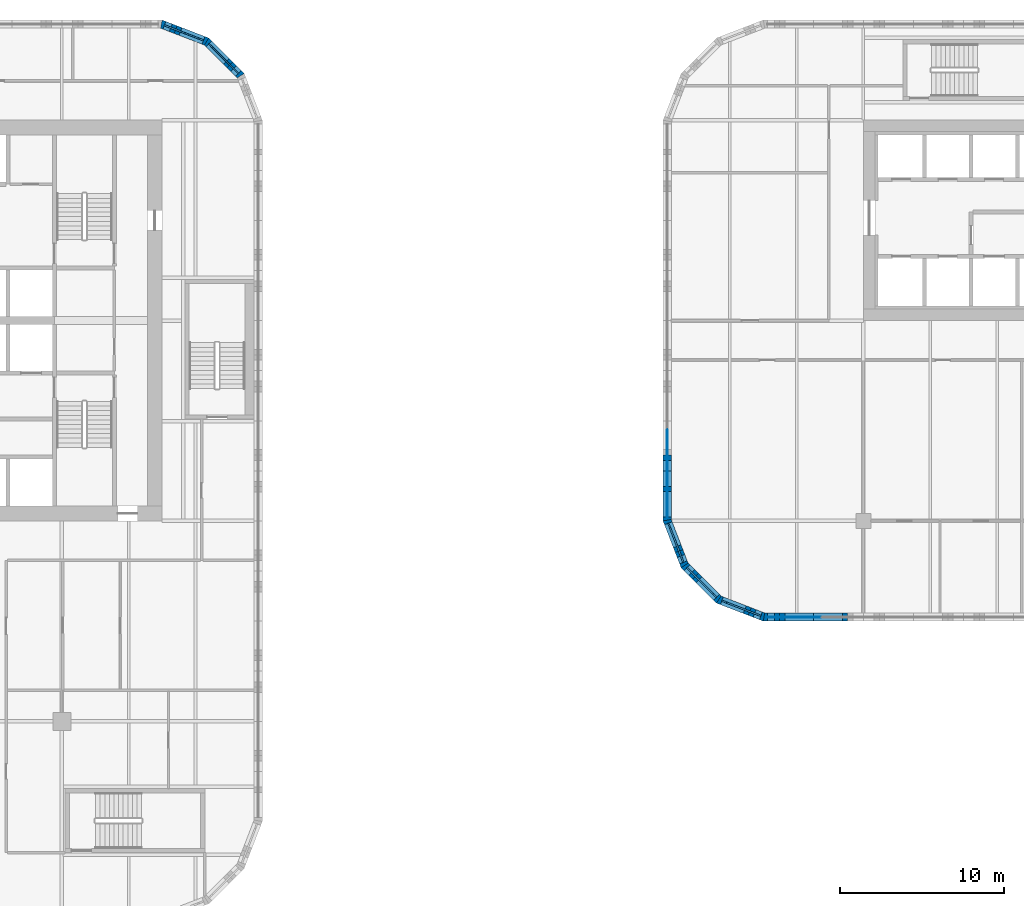
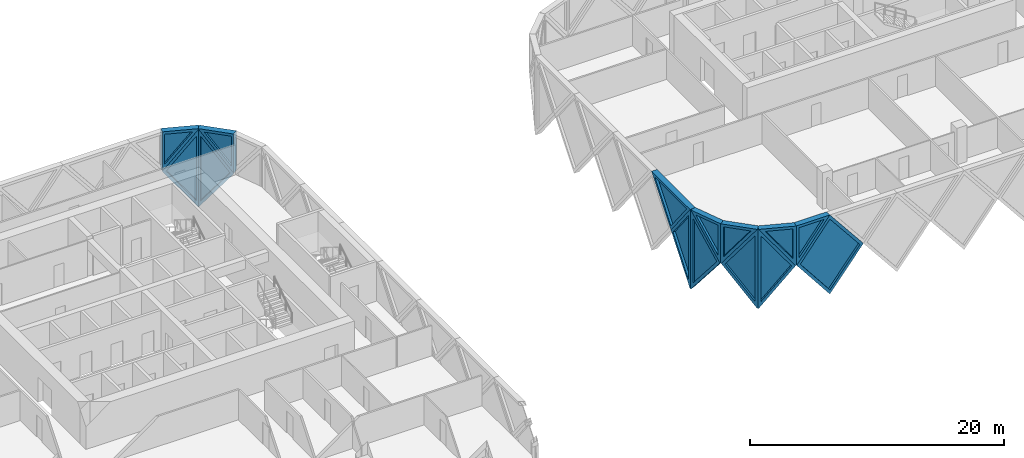
# One storey, part 14 of 24: 14 plates, 14 walls, 14 openings.
"""IFC4 building model written with IfcOpenShell, lengths in metres."""

from ifc_helpers import new_model, si_unit, direction, frame, origin, place, context, subcontext, project, spatial, polyline, outline, extrude, faceted_brep, source, transform, mapped, material, layer, layer_set, type_object, element, fill, save


model = new_model("IFC4")

# Units and contexts
model_context = context("Model", 3, precision=1e-05, world=origin(), true_north=direction((0.0, 1.0)))
body_context = subcontext(model_context, "Body", "Model", "MODEL_VIEW")
ifc_project = project(units=[si_unit("LENGTHUNIT", "METRE"), si_unit("AREAUNIT", "SQUARE_METRE"), si_unit("VOLUMEUNIT", "CUBIC_METRE"), si_unit("PLANEANGLEUNIT", "RADIAN"), si_unit("MASSUNIT", "GRAM", prefix="KILO")], contexts=[model_context])

# Site, building, storey
site_placement = place(None, origin())
site = spatial("IfcSite", under=ifc_project, at=site_placement, CompositionType="ELEMENT")
building_placement = place(site_placement, origin())
building = spatial("IfcBuilding", under=site, at=building_placement, Name="Tessera Gate Towers", CompositionType="ELEMENT")
storey_placement = place(building_placement, frame((0.0, 0.0, 60.0)))
storey = spatial("IfcBuildingStorey", under=building, at=storey_placement, Name="L14", CompositionType="ELEMENT", Elevation=60.0)

# Wall, opening, plate
ifc_material_1 = material(Name="Precast concrete C60/75 white", Category="concrete")
ifc_layer_1 = layer(ifc_material_1, 0.5)
ifc_layer_set_1 = layer_set([ifc_layer_1], Name="TS1 tessera")
wall_type_1 = type_object("IfcWallType", Name="TS1 tessera", PredefinedType="SOLIDWALL", material=ifc_layer_set_1)
shared_shape_1 = source(origin(), body_context, "Body", "Brep", [
    faceted_brep([(3.00341796875, -0.25, 0.0), (6.053466796875, -0.25, 3.800048828125), (3.00341796875, -0.25, 7.60009765625), (0.0, -0.25, 3.800048828125), (0.046630859375, 0.25, 3.85888671875), (3.00341796875, 0.25, 7.60009765625), (6.053466796875, 0.25, 3.800048828125), (3.00341796875, 0.25, 0.0), (0.046630859375, 0.25, 3.7412109375), (0.0, 0.0, 3.800048828125)], [[[0, 1, 2, 3]], [[4, 5, 6, 7, 8]], [[7, 6, 1, 0]], [[6, 5, 2, 1]], [[5, 4, 9, 3, 2]], [[8, 7, 0, 3, 9]], [[8, 9, 4]]]),
])
wall_1_placement = place(storey_placement, frame((91.546630859375, 18.550048828125, -3.800048828125), z_axis=(0.0, 0.0, 1.0), x_axis=(1.0, 0.0, 0.0)))
wall_1 = element("IfcWall", 1, at=wall_1_placement, inside=storey, type_object=wall_type_1, Name="Precast tessera T2 TS1-0162", PredefinedType="SOLIDWALL", context=body_context, shape_type="MappedRepresentation", body=[
    mapped(shared_shape_1, transform((0.0, 0.0, 0.0), scale=1.0)),
])
shared_shape_2 = source(origin(), body_context, "Body", "SweptSolid", [
    extrude(outline(polyline([(3.0048828125, 0.4013671875), (5.73291015625, 3.800048828125), (3.0048828125, 7.19873046875), (0.318603515625, 3.800048828125), (3.0048828125, 0.4013671875)])), frame((0.0, 0.260009765625, 0.0), z_axis=(0.0, -1.0, 0.0), x_axis=(1.0, 0.0, 0.0)), (0.0, 0.0, 1.0), 0.52001953125),
])
opening_1_placement = place(wall_1_placement, origin())
opening_1 = element("IfcOpeningElement", 2, at=opening_1_placement, cuts=wall_1, Name="Opening T2-PL2-0306", PredefinedType="OPENING", context=body_context, shape_type="MappedRepresentation", body=[
    mapped(shared_shape_2, transform((0.0, 0.0, 0.0), scale=1.0)),
])
ifc_material_2 = material(Name="Low-e laminated glass", Category="glass")
ifc_layer_2 = layer(ifc_material_2, 0.06005859375)
ifc_layer_set_2 = layer_set([ifc_layer_2], Name="PL2 rhombic pane")
plate_type_1 = type_object("IfcPlateType", Name="PL2 rhombic pane", PredefinedType="SHEET", material=ifc_layer_set_2)
shared_shape_3 = source(origin(), body_context, "Body", "SweptSolid", [
    extrude(outline(polyline([(3.0048828125, 0.4013671875), (5.73291015625, 3.800048828125), (3.0048828125, 7.19873046875), (0.318603515625, 3.800048828125), (3.0048828125, 0.4013671875)])), frame((0.0, 0.030029296875, 0.0), z_axis=(0.0, -1.0, 0.0), x_axis=(1.0, 0.0, 0.0)), (0.0, 0.0, 1.0), 0.06005859375),
])
plate_1_placement = place(opening_1_placement, origin())
plate_1 = element("IfcPlate", 3, at=plate_1_placement, inside=storey, type_object=plate_type_1, Name="Glass pane T2 PL2-0306", PredefinedType="SHEET", context=body_context, shape_type="MappedRepresentation", body=[
    mapped(shared_shape_3, transform((0.0, 0.0, 0.0), scale=1.0)),
])
fill(opening_1, plate_1)

ifc_material_3 = material(Name="Precast concrete C60/75 white", Category="concrete")
ifc_layer_3 = layer(ifc_material_3, 0.5)
ifc_layer_set_3 = layer_set([ifc_layer_3], Name="TS3 corner tessera")
wall_type_2 = type_object("IfcWallType", Name="TS3 corner tessera", PredefinedType="SOLIDWALL", material=ifc_layer_set_3)
shared_shape_4 = source(origin(), body_context, "Body", "Brep", [
    faceted_brep([(3.00341796875, -0.25, 0.0), (3.050048828125, -0.25, 0.06005859375), (3.050048828125, -0.25, 7.5400390625), (3.00341796875, -0.25, 7.60009765625), (0.0, -0.25, 3.800048828125), (0.0, 0.25, 3.800048828125), (2.956787109375, 0.25, 7.541259765625), (2.956787109375, 0.25, 0.058837890625), (3.00341796875, 0.000244140625, 0.0), (3.00341796875, 0.000244140625, 7.60009765625)], [[[0, 1, 2, 3, 4]], [[5, 6, 7]], [[1, 0, 8]], [[9, 3, 2]], [[6, 5, 4, 3, 9]], [[5, 7, 8, 0, 4]], [[1, 8, 7, 6, 9, 2]]]),
])
wall_2_placement = place(storey_placement, frame((85.64990234375, 27.449951171875, -3.800048828125), z_axis=(0.0, 0.0, 1.0), x_axis=(0.0, -1.0, 0.0)))
wall_2 = element("IfcWall", 4, at=wall_2_placement, inside=storey, type_object=wall_type_2, Name="Precast corner tessera T2 TS3-0205", PredefinedType="SOLIDWALL", context=body_context, shape_type="MappedRepresentation", body=[
    mapped(shared_shape_4, transform((0.0, 0.0, 0.0), scale=1.0)),
])
shared_shape_5 = source(origin(), body_context, "Body", "SweptSolid", [
    extrude(outline(polyline([(2.803466796875, 6.94384765625), (0.318603515625, 3.800048828125), (2.803466796875, 0.65625), (2.803466796875, 6.94384765625)])), frame((0.0, 0.260009765625, 0.0), z_axis=(0.0, -1.0, 0.0), x_axis=(1.0, 0.0, 0.0)), (0.0, 0.0, 1.0), 0.52001953125),
])
opening_2_placement = place(wall_2_placement, origin())
opening_2 = element("IfcOpeningElement", 5, at=opening_2_placement, cuts=wall_2, Name="Opening T2-PL2-0336", PredefinedType="OPENING", context=body_context, shape_type="MappedRepresentation", body=[
    mapped(shared_shape_5, transform((0.0, 0.0, 0.0), scale=1.0)),
])
shared_shape_6 = source(origin(), body_context, "Body", "SweptSolid", [
    extrude(outline(polyline([(2.803466796875, 6.94384765625), (0.318603515625, 3.800048828125), (2.803466796875, 0.65625), (2.803466796875, 6.94384765625)])), frame((0.0, 0.030029296875, 0.0), z_axis=(0.0, -1.0, 0.0), x_axis=(1.0, 0.0, 0.0)), (0.0, 0.0, 1.0), 0.06005859375),
])
plate_2_placement = place(opening_2_placement, origin())
plate_2 = element("IfcPlate", 6, at=plate_2_placement, inside=storey, type_object=plate_type_1, Name="Glass pane T2 PL2-0336", PredefinedType="SHEET", context=body_context, shape_type="MappedRepresentation", body=[
    mapped(shared_shape_6, transform((0.0, 0.0, 0.0), scale=1.0)),
])
fill(opening_2, plate_2)

shared_shape_7 = source(origin(), body_context, "Body", "Brep", [
    faceted_brep([(0.046630859375, -0.25, 0.0), (2.9970703125, -0.25, 3.800048828125), (0.046630859375, -0.25, 7.60009765625), (0.0, -0.25, 7.541259765625), (0.0, -0.25, 0.058837890625), (0.09326171875, 0.25, 7.5400390625), (2.9443359375, 0.25, 3.8681640625), (2.9443359375, 0.25, 3.73193359375), (0.09326171875, 0.25, 0.06005859375), (2.9970703125, 0.00048828125, 3.800048828125), (0.046630859375, 0.0, 0.0), (0.046630859375, 0.0, 7.60009765625)], [[[0, 1, 2, 3, 4]], [[5, 6, 7, 8]], [[8, 7, 9, 1, 0, 10]], [[6, 5, 11, 2, 1, 9]], [[3, 2, 11]], [[10, 0, 4]], [[8, 10, 4, 3, 11, 5]], [[9, 7, 6]]]),
])
wall_3_placement = place(storey_placement, frame((85.63330078125, 24.489990234375, -3.800048828125), z_axis=(0.0, 0.0, 1.0), x_axis=(0.359901446078, -0.932990326376, 0.0)))
wall_3 = element("IfcWall", 7, at=wall_3_placement, inside=storey, type_object=wall_type_2, Name="Precast corner tessera T2 TS3-0206", PredefinedType="SOLIDWALL", context=body_context, shape_type="MappedRepresentation", body=[
    mapped(shared_shape_7, transform((0.0, 0.0, 0.0), scale=1.0)),
])
shared_shape_8 = source(origin(), body_context, "Body", "SweptSolid", [
    extrude(outline(polyline([(0.24658203125, 0.665283203125), (2.6806640625, 3.800048828125), (0.24658203125, 6.934814453125), (0.24658203125, 0.665283203125)])), frame((0.0, 0.260009765625, 0.0), z_axis=(0.0, -1.0, 0.0), x_axis=(1.0, 0.0, 0.0)), (0.0, 0.0, 1.0), 0.52001953125),
])
opening_3_placement = place(wall_3_placement, origin())
opening_3 = element("IfcOpeningElement", 8, at=opening_3_placement, cuts=wall_3, Name="Opening T2-PL2-0337", PredefinedType="OPENING", context=body_context, shape_type="MappedRepresentation", body=[
    mapped(shared_shape_8, transform((0.0, 0.0, 0.0), scale=1.0)),
])
shared_shape_9 = source(origin(), body_context, "Body", "SweptSolid", [
    extrude(outline(polyline([(0.24658203125, 0.665283203125), (2.6806640625, 3.800048828125), (0.24658203125, 6.934814453125), (0.24658203125, 0.665283203125)])), frame((0.0, 0.030029296875, 0.0), z_axis=(0.0, -1.0, 0.0), x_axis=(1.0, 0.0, 0.0)), (0.0, 0.0, 1.0), 0.06005859375),
])
plate_3_placement = place(opening_3_placement, origin())
plate_3 = element("IfcPlate", 9, at=plate_3_placement, inside=storey, type_object=plate_type_1, Name="Glass pane T2 PL2-0337", PredefinedType="SHEET", context=body_context, shape_type="MappedRepresentation", body=[
    mapped(shared_shape_9, transform((0.0, 0.0, 0.0), scale=1.0)),
])
fill(opening_3, plate_3)

shared_shape_10 = source(origin(), body_context, "Body", "Brep", [
    faceted_brep([(2.944091796875, -0.25, 0.0), (2.9970703125, -0.25, 0.068115234375), (2.9970703125, -0.25, 7.531982421875), (2.944091796875, -0.25, 7.60009765625), (0.0, -0.25, 3.800048828125), (0.052978515625, 0.25, 3.868408203125), (2.89111328125, 0.25, 7.531982421875), (2.89111328125, 0.25, 0.068115234375), (0.052978515625, 0.25, 3.731689453125), (2.944091796875, 0.000244140625, 0.0), (2.944091796875, 0.000244140625, 7.60009765625), (0.0, 0.0, 3.800048828125)], [[[0, 1, 2, 3, 4]], [[5, 6, 7, 8]], [[1, 0, 9]], [[10, 3, 2]], [[6, 5, 11, 4, 3, 10]], [[8, 7, 9, 0, 4, 11]], [[8, 11, 5]], [[1, 9, 7, 6, 10, 2]]]),
])
wall_4_placement = place(storey_placement, frame((59.68798828125, 51.50634765625, -3.800048828125), z_axis=(0.0, 0.0, 1.0), x_axis=(-0.707106781187, 0.707106781187, 0.0)))
wall_4 = element("IfcWall", 10, at=wall_4_placement, inside=storey, type_object=wall_type_2, Name="Precast corner tessera T1 TS3-0295", PredefinedType="SOLIDWALL", context=body_context, shape_type="MappedRepresentation", body=[
    mapped(shared_shape_10, transform((0.0, 0.0, 0.0), scale=1.0)),
])
shared_shape_11 = source(origin(), body_context, "Body", "SweptSolid", [
    extrude(outline(polyline([(2.744140625, 6.933837890625), (0.316162109375, 3.800048828125), (2.744140625, 0.666259765625), (2.744140625, 6.933837890625)])), frame((0.0, 0.260009765625, 0.0), z_axis=(0.0, -1.0, 0.0), x_axis=(1.0, 0.0, 0.0)), (0.0, 0.0, 1.0), 0.52001953125),
])
opening_4_placement = place(wall_4_placement, origin())
opening_4 = element("IfcOpeningElement", 11, at=opening_4_placement, cuts=wall_4, Name="Opening T1-PL2-0439", PredefinedType="OPENING", context=body_context, shape_type="MappedRepresentation", body=[
    mapped(shared_shape_11, transform((0.0, 0.0, 0.0), scale=1.0)),
])
shared_shape_12 = source(origin(), body_context, "Body", "SweptSolid", [
    extrude(outline(polyline([(2.744140625, 6.933837890625), (0.316162109375, 3.800048828125), (2.744140625, 0.666259765625), (2.744140625, 6.933837890625)])), frame((0.0, 0.030029296875, 0.0), z_axis=(0.0, -1.0, 0.0), x_axis=(1.0, 0.0, 0.0)), (0.0, 0.0, 1.0), 0.06005859375),
])
plate_4_placement = place(opening_4_placement, origin())
plate_4 = element("IfcPlate", 12, at=plate_4_placement, inside=storey, type_object=plate_type_1, Name="Glass pane T1 PL2-0439", PredefinedType="SHEET", context=body_context, shape_type="MappedRepresentation", body=[
    mapped(shared_shape_12, transform((0.0, 0.0, 0.0), scale=1.0)),
])
fill(opening_4, plate_4)

shared_shape_13 = source(origin(), body_context, "Body", "Brep", [
    faceted_brep([(0.052978515625, -0.25, 0.0), (3.00341796875, -0.25, 3.800048828125), (0.052978515625, -0.25, 7.60009765625), (0.0, -0.25, 7.53173828125), (0.0, -0.25, 0.068359375), (0.10595703125, 0.25, 7.531982421875), (2.95703125, 0.25, 3.85986328125), (2.95703125, 0.25, 3.740234375), (0.10595703125, 0.25, 0.068115234375), (3.00341796875, 0.00048828125, 3.800048828125), (0.052978515625, 0.0, 0.0), (0.052978515625, 0.0, 7.60009765625)], [[[0, 1, 2, 3, 4]], [[5, 6, 7, 8]], [[8, 7, 9, 1, 0, 10]], [[6, 5, 11, 2, 1, 9]], [[3, 2, 11]], [[10, 0, 4]], [[8, 10, 4, 3, 11, 5]], [[9, 7, 6]]]),
])
wall_5_placement = place(storey_placement, frame((57.65576171875, 53.569091796875, -3.800048828125), z_axis=(0.0, 0.0, 1.0), x_axis=(-0.933007896601, 0.359855894603, 0.0)))
wall_5 = element("IfcWall", 13, at=wall_5_placement, inside=storey, type_object=wall_type_2, Name="Precast corner tessera T1 TS3-0296", PredefinedType="SOLIDWALL", context=body_context, shape_type="MappedRepresentation", body=[
    mapped(shared_shape_13, transform((0.0, 0.0, 0.0), scale=1.0)),
])
shared_shape_14 = source(origin(), body_context, "Body", "SweptSolid", [
    extrude(outline(polyline([(0.2529296875, 0.665283203125), (2.68701171875, 3.800048828125), (0.2529296875, 6.934814453125), (0.2529296875, 0.665283203125)])), frame((0.0, 0.260009765625, 0.0), z_axis=(0.0, -1.0, 0.0), x_axis=(1.0, 0.0, 0.0)), (0.0, 0.0, 1.0), 0.52001953125),
])
opening_5_placement = place(wall_5_placement, origin())
opening_5 = element("IfcOpeningElement", 14, at=opening_5_placement, cuts=wall_5, Name="Opening T1-PL2-0440", PredefinedType="OPENING", context=body_context, shape_type="MappedRepresentation", body=[
    mapped(shared_shape_14, transform((0.0, 0.0, 0.0), scale=1.0)),
])
shared_shape_15 = source(origin(), body_context, "Body", "SweptSolid", [
    extrude(outline(polyline([(0.2529296875, 0.665283203125), (2.68701171875, 3.800048828125), (0.2529296875, 6.934814453125), (0.2529296875, 0.665283203125)])), frame((0.0, 0.030029296875, 0.0), z_axis=(0.0, -1.0, 0.0), x_axis=(1.0, 0.0, 0.0)), (0.0, 0.0, 1.0), 0.06005859375),
])
plate_5_placement = place(opening_5_placement, origin())
plate_5 = element("IfcPlate", 15, at=plate_5_placement, inside=storey, type_object=plate_type_1, Name="Glass pane T1 PL2-0440", PredefinedType="SHEET", context=body_context, shape_type="MappedRepresentation", body=[
    mapped(shared_shape_15, transform((0.0, 0.0, 0.0), scale=1.0)),
])
fill(opening_5, plate_5)

shared_shape_16 = source(origin(), body_context, "Body", "Brep", [
    faceted_brep([(2.944091796875, -0.25, 0.0), (2.9970703125, -0.25, 0.068115234375), (2.9970703125, -0.25, 7.531982421875), (2.944091796875, -0.25, 7.60009765625), (0.0, -0.25, 3.800048828125), (0.052978515625, 0.25, 3.868408203125), (2.89111328125, 0.25, 7.531982421875), (2.89111328125, 0.25, 0.068115234375), (0.052978515625, 0.25, 3.731689453125), (2.944091796875, 0.000244140625, 0.0), (2.944091796875, 0.000244140625, 7.60009765625), (0.0, 0.0, 3.800048828125)], [[[0, 1, 2, 3, 4]], [[5, 6, 7, 8]], [[1, 0, 9]], [[10, 3, 2]], [[6, 5, 11, 4, 3, 10]], [[8, 7, 9, 0, 4, 11]], [[8, 11, 5]], [[1, 9, 7, 6, 10, 2]]]),
])
wall_6_placement = place(storey_placement, frame((86.7119140625, 21.69384765625, -3.800048828125), z_axis=(0.0, 0.0, 1.0), x_axis=(0.707066050402, -0.707147509625, 0.0)))
wall_6 = element("IfcWall", 16, at=wall_6_placement, inside=storey, type_object=wall_type_2, Name="Precast corner tessera T2 TS3-0207", PredefinedType="SOLIDWALL", context=body_context, shape_type="MappedRepresentation", body=[
    mapped(shared_shape_16, transform((0.0, 0.0, 0.0), scale=1.0)),
])
opening_6_placement = place(wall_6_placement, origin())
opening_6 = element("IfcOpeningElement", 17, at=opening_6_placement, cuts=wall_6, Name="Opening T2-PL2-0338", PredefinedType="OPENING", context=body_context, shape_type="MappedRepresentation", body=[
    mapped(shared_shape_11, transform((0.0, 0.0, 0.0), scale=1.0)),
])
plate_6_placement = place(opening_6_placement, origin())
plate_6 = element("IfcPlate", 18, at=plate_6_placement, inside=storey, type_object=plate_type_1, Name="Glass pane T2 PL2-0338", PredefinedType="SHEET", context=body_context, shape_type="MappedRepresentation", body=[
    mapped(shared_shape_12, transform((0.0, 0.0, 0.0), scale=1.0)),
])
fill(opening_6, plate_6)

shared_shape_17 = source(origin(), body_context, "Body", "Brep", [
    faceted_brep([(0.046630859375, -0.25, 0.0), (3.050048828125, -0.25, 3.800048828125), (0.0, -0.25, 3.800048828125), (0.0, -0.25, 0.06005859375), (0.09326171875, 0.25, 3.800048828125), (3.050048828125, 0.25, 3.800048828125), (0.09326171875, 0.25, 0.058837890625), (0.046630859375, 0.0, 0.0)], [[[0, 1, 2, 3]], [[4, 5, 6]], [[6, 5, 1, 0, 7]], [[5, 4, 2, 1]], [[7, 0, 3]], [[6, 7, 3, 2, 4]]]),
])
wall_7_placement = place(storey_placement, frame((91.5, 18.550048828125, 0.0), z_axis=(0.0, 0.0, 1.0), x_axis=(1.0, 0.0, 0.0)))
wall_7 = element("IfcWall", 19, at=wall_7_placement, inside=storey, type_object=wall_type_2, Name="Precast corner tessera T2 TS3-0209", PredefinedType="SOLIDWALL", context=body_context, shape_type="MappedRepresentation", body=[
    mapped(shared_shape_17, transform((0.0, 0.0, 0.0), scale=1.0)),
])
shared_shape_18 = source(origin(), body_context, "Body", "SweptSolid", [
    extrude(outline(polyline([(0.24658203125, 0.65625), (2.533935546875, 3.550048828125), (0.24658203125, 3.550048828125), (0.24658203125, 0.65625)])), frame((0.0, 0.260009765625, 0.0), z_axis=(0.0, -1.0, 0.0), x_axis=(1.0, 0.0, 0.0)), (0.0, 0.0, 1.0), 0.52001953125),
])
opening_7_placement = place(wall_7_placement, origin())
opening_7 = element("IfcOpeningElement", 20, at=opening_7_placement, cuts=wall_7, Name="Opening T2-PL1-0102", PredefinedType="OPENING", context=body_context, shape_type="MappedRepresentation", body=[
    mapped(shared_shape_18, transform((0.0, 0.0, 0.0), scale=1.0)),
])
ifc_material_4 = material(Name="Low-e laminated glass", Category="glass")
ifc_layer_4 = layer(ifc_material_4, 0.06005859375)
ifc_layer_set_4 = layer_set([ifc_layer_4], Name="PL1 triangular pane")
plate_type_2 = type_object("IfcPlateType", Name="PL1 triangular pane", PredefinedType="SHEET", material=ifc_layer_set_4)
shared_shape_19 = source(origin(), body_context, "Body", "SweptSolid", [
    extrude(outline(polyline([(0.24658203125, 0.65625), (2.533935546875, 3.550048828125), (0.24658203125, 3.550048828125), (0.24658203125, 0.65625)])), frame((0.0, 0.030029296875, 0.0), z_axis=(0.0, -1.0, 0.0), x_axis=(1.0, 0.0, 0.0)), (0.0, 0.0, 1.0), 0.06005859375),
])
plate_7_placement = place(opening_7_placement, origin())
plate_7 = element("IfcPlate", 21, at=plate_7_placement, inside=storey, type_object=plate_type_2, Name="Glass pane T2 PL1-0102", PredefinedType="SHEET", context=body_context, shape_type="MappedRepresentation", body=[
    mapped(shared_shape_19, transform((0.0, 0.0, 0.0), scale=1.0)),
])
fill(opening_7, plate_7)

shared_shape_20 = source(origin(), body_context, "Body", "Brep", [
    faceted_brep([(2.950439453125, -0.25, 0.0), (2.9970703125, -0.25, 0.05908203125), (2.9970703125, -0.25, 3.800048828125), (0.0, -0.25, 3.800048828125), (0.052978515625, 0.25, 3.800048828125), (2.904052734375, 0.25, 3.800048828125), (2.904052734375, 0.25, 0.059814453125), (0.052978515625, 0.25, 3.73193359375), (2.950439453125, 0.00048828125, 0.0), (0.0, 0.0, 3.800048828125)], [[[0, 1, 2, 3]], [[4, 5, 6, 7]], [[1, 0, 8]], [[5, 4, 9, 3, 2]], [[7, 6, 8, 0, 3, 9]], [[7, 9, 4]], [[1, 8, 6, 5, 2]]]),
])
wall_8_placement = place(storey_placement, frame((88.793701171875, 19.61181640625, 0.0), z_axis=(0.0, 0.0, 1.0), x_axis=(0.933000876937, -0.359874094142, 0.0)))
wall_8 = element("IfcWall", 22, at=wall_8_placement, inside=storey, type_object=wall_type_2, Name="Precast corner tessera T2 TS3-0210", PredefinedType="SOLIDWALL", context=body_context, shape_type="MappedRepresentation", body=[
    mapped(shared_shape_20, transform((0.0, 0.0, 0.0), scale=1.0)),
])
shared_shape_21 = source(origin(), body_context, "Body", "SweptSolid", [
    extrude(outline(polyline([(2.75048828125, 3.550048828125), (0.5107421875, 3.550048828125), (2.75048828125, 0.665283203125), (2.75048828125, 3.550048828125)])), frame((0.0, 0.260009765625, 0.0), z_axis=(0.0, -1.0, 0.0), x_axis=(1.0, 0.0, 0.0)), (0.0, 0.0, 1.0), 0.52001953125),
])
opening_8_placement = place(wall_8_placement, origin())
opening_8 = element("IfcOpeningElement", 23, at=opening_8_placement, cuts=wall_8, Name="Opening T2-PL1-0103", PredefinedType="OPENING", context=body_context, shape_type="MappedRepresentation", body=[
    mapped(shared_shape_21, transform((0.0, 0.0, 0.0), scale=1.0)),
])
shared_shape_22 = source(origin(), body_context, "Body", "SweptSolid", [
    extrude(outline(polyline([(2.75048828125, 3.550048828125), (0.5107421875, 3.550048828125), (2.75048828125, 0.665283203125), (2.75048828125, 3.550048828125)])), frame((0.0, 0.030029296875, 0.0), z_axis=(0.0, -1.0, 0.0), x_axis=(1.0, 0.0, 0.0)), (0.0, 0.0, 1.0), 0.06005859375),
])
plate_8_placement = place(opening_8_placement, origin())
plate_8 = element("IfcPlate", 24, at=plate_8_placement, inside=storey, type_object=plate_type_2, Name="Glass pane T2 PL1-0103", PredefinedType="SHEET", context=body_context, shape_type="MappedRepresentation", body=[
    mapped(shared_shape_22, transform((0.0, 0.0, 0.0), scale=1.0)),
])
fill(opening_8, plate_8)

ifc_material_5 = material(Name="Precast concrete C60/75 white", Category="concrete")
ifc_layer_5 = layer(ifc_material_5, 0.5)
ifc_layer_set_5 = layer_set([ifc_layer_5], Name="TS2 half tessera")
wall_type_3 = type_object("IfcWallType", Name="TS2 half tessera", PredefinedType="SOLIDWALL", material=ifc_layer_set_5)
shared_shape_23 = source(origin(), body_context, "Body", "Brep", [
    faceted_brep([(3.050048828125, -0.25, 0.0), (6.053466796875, -0.25, 3.800048828125), (0.0, -0.25, 3.800048828125), (0.0, 0.25, 3.800048828125), (6.0068359375, 0.25, 3.800048828125), (6.0068359375, 0.25, 3.7412109375), (3.050048828125, 0.25, 0.0), (6.053466796875, 0.0, 3.800048828125)], [[[0, 1, 2]], [[3, 4, 5, 6]], [[6, 5, 7, 1, 0]], [[4, 3, 2, 1, 7]], [[3, 6, 0, 2]], [[5, 4, 7]]]),
])
wall_9_placement = place(storey_placement, frame((85.64990234375, 30.5, 0.0), z_axis=(0.0, 0.0, 1.0), x_axis=(0.0, -1.0, 0.0)))
wall_9 = element("IfcWall", 25, at=wall_9_placement, inside=storey, type_object=wall_type_3, Name="Precast half tessera T2 TS2-0071", PredefinedType="SOLIDWALL", context=body_context, shape_type="MappedRepresentation", body=[
    mapped(shared_shape_23, transform((0.0, 0.0, 0.0), scale=1.0)),
])
shared_shape_24 = source(origin(), body_context, "Body", "SweptSolid", [
    extrude(outline(polyline([(3.048583984375, 0.4013671875), (5.537109375, 3.550048828125), (0.521240234375, 3.550048828125), (3.048583984375, 0.4013671875)])), frame((0.0, 0.260009765625, 0.0), z_axis=(0.0, -1.0, 0.0), x_axis=(1.0, 0.0, 0.0)), (0.0, 0.0, 1.0), 0.52001953125),
])
opening_9_placement = place(wall_9_placement, origin())
opening_9 = element("IfcOpeningElement", 26, at=opening_9_placement, cuts=wall_9, Name="Opening T2-PL1-0133", PredefinedType="OPENING", context=body_context, shape_type="MappedRepresentation", body=[
    mapped(shared_shape_24, transform((0.0, 0.0, 0.0), scale=1.0)),
])
shared_shape_25 = source(origin(), body_context, "Body", "SweptSolid", [
    extrude(outline(polyline([(3.048583984375, 0.4013671875), (5.537109375, 3.550048828125), (0.521240234375, 3.550048828125), (3.048583984375, 0.4013671875)])), frame((0.0, 0.030029296875, 0.0), z_axis=(0.0, -1.0, 0.0), x_axis=(1.0, 0.0, 0.0)), (0.0, 0.0, 1.0), 0.06005859375),
])
plate_9_placement = place(opening_9_placement, origin())
plate_9 = element("IfcPlate", 27, at=plate_9_placement, inside=storey, type_object=plate_type_2, Name="Glass pane T2 PL1-0133", PredefinedType="SHEET", context=body_context, shape_type="MappedRepresentation", body=[
    mapped(shared_shape_25, transform((0.0, 0.0, 0.0), scale=1.0)),
])
fill(opening_9, plate_9)

shared_shape_26 = source(origin(), body_context, "Body", "Brep", [
    faceted_brep([(2.950439453125, -0.25, 0.0), (3.00341796875, -0.25, 0.068359375), (3.00341796875, -0.25, 3.800048828125), (0.0, -0.25, 3.800048828125), (0.046630859375, 0.25, 3.800048828125), (2.897705078125, 0.25, 3.800048828125), (2.897705078125, 0.25, 0.068115234375), (0.046630859375, 0.25, 3.739990234375), (2.950439453125, 0.00048828125, 0.0), (0.0, 0.0, 3.800048828125)], [[[0, 1, 2, 3]], [[4, 5, 6, 7]], [[1, 0, 8]], [[5, 4, 9, 3, 2]], [[7, 6, 8, 0, 3, 9]], [[7, 9, 4]], [[1, 8, 6, 5, 2]]]),
])
wall_10_placement = place(storey_placement, frame((85.64990234375, 24.446533203125, 0.0), z_axis=(0.0, 0.0, 1.0), x_axis=(0.35992665181, -0.932980602862, 0.0)))
wall_10 = element("IfcWall", 28, at=wall_10_placement, inside=storey, type_object=wall_type_2, Name="Precast corner tessera T2 TS3-0223", PredefinedType="SOLIDWALL", context=body_context, shape_type="MappedRepresentation", body=[
    mapped(shared_shape_26, transform((0.0, 0.0, 0.0), scale=1.0)),
])
opening_10_placement = place(wall_10_placement, origin())
opening_10 = element("IfcOpeningElement", 29, at=opening_10_placement, cuts=wall_10, Name="Opening T2-PL1-0134", PredefinedType="OPENING", context=body_context, shape_type="MappedRepresentation", body=[
    mapped(shared_shape_21, transform((0.0, 0.0, 0.0), scale=1.0)),
])
plate_10_placement = place(opening_10_placement, origin())
plate_10 = element("IfcPlate", 30, at=plate_10_placement, inside=storey, type_object=plate_type_2, Name="Glass pane T2 PL1-0134", PredefinedType="SHEET", context=body_context, shape_type="MappedRepresentation", body=[
    mapped(shared_shape_22, transform((0.0, 0.0, 0.0), scale=1.0)),
])
fill(opening_10, plate_10)

shared_shape_27 = source(origin(), body_context, "Body", "Brep", [
    faceted_brep([(0.052978515625, -0.25, 0.0), (2.9970703125, -0.25, 3.800048828125), (0.0, -0.25, 3.800048828125), (0.0, -0.25, 0.068115234375), (0.10595703125, 0.25, 3.800048828125), (2.944091796875, 0.25, 3.800048828125), (2.944091796875, 0.25, 3.73193359375), (0.10595703125, 0.25, 0.068359375), (2.9970703125, 0.000244140625, 3.800048828125), (0.052978515625, 0.0, 0.0)], [[[0, 1, 2, 3]], [[4, 5, 6, 7]], [[7, 6, 8, 1, 0, 9]], [[5, 4, 2, 1, 8]], [[9, 0, 3]], [[7, 9, 3, 2, 4]], [[6, 5, 8]]]),
])
wall_11_placement = place(storey_placement, frame((59.7255859375, 51.46875, 0.0), z_axis=(0.0, 0.0, 1.0), x_axis=(-0.707106781187, 0.707106781187, 0.0)))
wall_11 = element("IfcWall", 31, at=wall_11_placement, inside=storey, type_object=wall_type_2, Name="Precast corner tessera T1 TS3-0320", PredefinedType="SOLIDWALL", context=body_context, shape_type="MappedRepresentation", body=[
    mapped(shared_shape_27, transform((0.0, 0.0, 0.0), scale=1.0)),
])
shared_shape_28 = source(origin(), body_context, "Body", "SweptSolid", [
    extrude(outline(polyline([(0.2529296875, 0.666259765625), (2.487060546875, 3.550048828125), (0.2529296875, 3.550048828125), (0.2529296875, 0.666259765625)])), frame((0.0, 0.260009765625, 0.0), z_axis=(0.0, -1.0, 0.0), x_axis=(1.0, 0.0, 0.0)), (0.0, 0.0, 1.0), 0.52001953125),
])
opening_11_placement = place(wall_11_placement, origin())
opening_11 = element("IfcOpeningElement", 32, at=opening_11_placement, cuts=wall_11, Name="Opening T1-PL1-0158", PredefinedType="OPENING", context=body_context, shape_type="MappedRepresentation", body=[
    mapped(shared_shape_28, transform((0.0, 0.0, 0.0), scale=1.0)),
])
shared_shape_29 = source(origin(), body_context, "Body", "SweptSolid", [
    extrude(outline(polyline([(0.2529296875, 0.666259765625), (2.487060546875, 3.550048828125), (0.2529296875, 3.550048828125), (0.2529296875, 0.666259765625)])), frame((0.0, 0.030029296875, 0.0), z_axis=(0.0, -1.0, 0.0), x_axis=(1.0, 0.0, 0.0)), (0.0, 0.0, 1.0), 0.06005859375),
])
plate_11_placement = place(opening_11_placement, origin())
plate_11 = element("IfcPlate", 33, at=plate_11_placement, inside=storey, type_object=plate_type_2, Name="Glass pane T1 PL1-0158", PredefinedType="SHEET", context=body_context, shape_type="MappedRepresentation", body=[
    mapped(shared_shape_29, transform((0.0, 0.0, 0.0), scale=1.0)),
])
fill(opening_11, plate_11)

shared_shape_30 = source(origin(), body_context, "Body", "Brep", [
    faceted_brep([(2.950439453125, -0.25, 0.0), (2.9970703125, -0.25, 0.05908203125), (2.9970703125, -0.25, 3.800048828125), (0.0, -0.25, 3.800048828125), (0.052978515625, 0.25, 3.800048828125), (2.904052734375, 0.25, 3.800048828125), (2.904052734375, 0.25, 0.059814453125), (0.052978515625, 0.25, 3.73193359375), (2.950439453125, 0.00048828125, 0.0), (0.0, 0.0, 3.800048828125)], [[[0, 1, 2, 3]], [[4, 5, 6, 7]], [[1, 0, 8]], [[5, 4, 9, 3, 2]], [[7, 6, 8, 0, 3, 9]], [[7, 9, 4]], [[1, 8, 6, 5, 2]]]),
])
wall_12_placement = place(storey_placement, frame((57.606201171875, 53.588134765625, 0.0), z_axis=(0.0, 0.0, 1.0), x_axis=(-0.932990326376, 0.359901446078, 0.0)))
wall_12 = element("IfcWall", 34, at=wall_12_placement, inside=storey, type_object=wall_type_2, Name="Precast corner tessera T1 TS3-0321", PredefinedType="SOLIDWALL", context=body_context, shape_type="MappedRepresentation", body=[
    mapped(shared_shape_30, transform((0.0, 0.0, 0.0), scale=1.0)),
])
opening_12_placement = place(wall_12_placement, origin())
opening_12 = element("IfcOpeningElement", 35, at=opening_12_placement, cuts=wall_12, Name="Opening T1-PL1-0159", PredefinedType="OPENING", context=body_context, shape_type="MappedRepresentation", body=[
    mapped(shared_shape_21, transform((0.0, 0.0, 0.0), scale=1.0)),
])
plate_12_placement = place(opening_12_placement, origin())
plate_12 = element("IfcPlate", 36, at=plate_12_placement, inside=storey, type_object=plate_type_2, Name="Glass pane T1 PL1-0159", PredefinedType="SHEET", context=body_context, shape_type="MappedRepresentation", body=[
    mapped(shared_shape_22, transform((0.0, 0.0, 0.0), scale=1.0)),
])
fill(opening_12, plate_12)

shared_shape_31 = source(origin(), body_context, "Body", "Brep", [
    faceted_brep([(0.052978515625, -0.25, 0.0), (2.9970703125, -0.25, 3.800048828125), (0.0, -0.25, 3.800048828125), (0.0, -0.25, 0.068115234375), (0.10595703125, 0.25, 3.800048828125), (2.944091796875, 0.25, 3.800048828125), (2.944091796875, 0.25, 3.73193359375), (0.10595703125, 0.25, 0.068359375), (2.9970703125, 0.000244140625, 3.800048828125), (0.052978515625, 0.0, 0.0)], [[[0, 1, 2, 3]], [[4, 5, 6, 7]], [[7, 6, 8, 1, 0, 9]], [[5, 4, 2, 1, 8]], [[9, 0, 3]], [[7, 9, 3, 2, 4]], [[6, 5, 8]]]),
])
wall_13_placement = place(storey_placement, frame((86.674560546875, 21.731201171875, 0.0), z_axis=(0.0, 0.0, 1.0), x_axis=(0.707106781187, -0.707106781187, 0.0)))
wall_13 = element("IfcWall", 37, at=wall_13_placement, inside=storey, type_object=wall_type_2, Name="Precast corner tessera T2 TS3-0224", PredefinedType="SOLIDWALL", context=body_context, shape_type="MappedRepresentation", body=[
    mapped(shared_shape_31, transform((0.0, 0.0, 0.0), scale=1.0)),
])
opening_13_placement = place(wall_13_placement, origin())
opening_13 = element("IfcOpeningElement", 38, at=opening_13_placement, cuts=wall_13, Name="Opening T2-PL1-0135", PredefinedType="OPENING", context=body_context, shape_type="MappedRepresentation", body=[
    mapped(shared_shape_28, transform((0.0, 0.0, 0.0), scale=1.0)),
])
plate_13_placement = place(opening_13_placement, origin())
plate_13 = element("IfcPlate", 39, at=plate_13_placement, inside=storey, type_object=plate_type_2, Name="Glass pane T2 PL1-0135", PredefinedType="SHEET", context=body_context, shape_type="MappedRepresentation", body=[
    mapped(shared_shape_29, transform((0.0, 0.0, 0.0), scale=1.0)),
])
fill(opening_13, plate_13)

shared_shape_32 = source(origin(), body_context, "Body", "Brep", [
    faceted_brep([(0.052978515625, -0.25, 0.0), (3.00341796875, -0.25, 3.800048828125), (0.052978515625, -0.25, 7.60009765625), (0.0, -0.25, 7.53173828125), (0.0, -0.25, 0.068359375), (0.10595703125, 0.25, 7.531982421875), (2.95703125, 0.25, 3.85986328125), (2.95703125, 0.25, 3.740234375), (0.10595703125, 0.25, 0.068115234375), (3.00341796875, 0.00048828125, 3.800048828125), (0.052978515625, 0.0, 0.0), (0.052978515625, 0.0, 7.60009765625)], [[[0, 1, 2, 3, 4]], [[5, 6, 7, 8]], [[8, 7, 9, 1, 0, 10]], [[6, 5, 11, 2, 1, 9]], [[3, 2, 11]], [[10, 0, 4]], [[8, 10, 4, 3, 11, 5]], [[9, 7, 6]]]),
])
wall_14_placement = place(storey_placement, frame((88.744384765625, 19.630859375, -3.800048828125), z_axis=(0.0, 0.0, 1.0), x_axis=(0.932997369089, -0.359883188373, 0.0)))
wall_14 = element("IfcWall", 40, at=wall_14_placement, inside=storey, type_object=wall_type_2, Name="Precast corner tessera T2 TS3-0208", PredefinedType="SOLIDWALL", context=body_context, shape_type="MappedRepresentation", body=[
    mapped(shared_shape_32, transform((0.0, 0.0, 0.0), scale=1.0)),
])
opening_14_placement = place(wall_14_placement, origin())
opening_14 = element("IfcOpeningElement", 41, at=opening_14_placement, cuts=wall_14, Name="Opening T2-PL2-0339", PredefinedType="OPENING", context=body_context, shape_type="MappedRepresentation", body=[
    mapped(shared_shape_14, transform((0.0, 0.0, 0.0), scale=1.0)),
])
plate_14_placement = place(opening_14_placement, origin())
plate_14 = element("IfcPlate", 42, at=plate_14_placement, inside=storey, type_object=plate_type_1, Name="Glass pane T2 PL2-0339", PredefinedType="SHEET", context=body_context, shape_type="MappedRepresentation", body=[
    mapped(shared_shape_15, transform((0.0, 0.0, 0.0), scale=1.0)),
])
fill(opening_14, plate_14)

save(model, "model.ifc")
